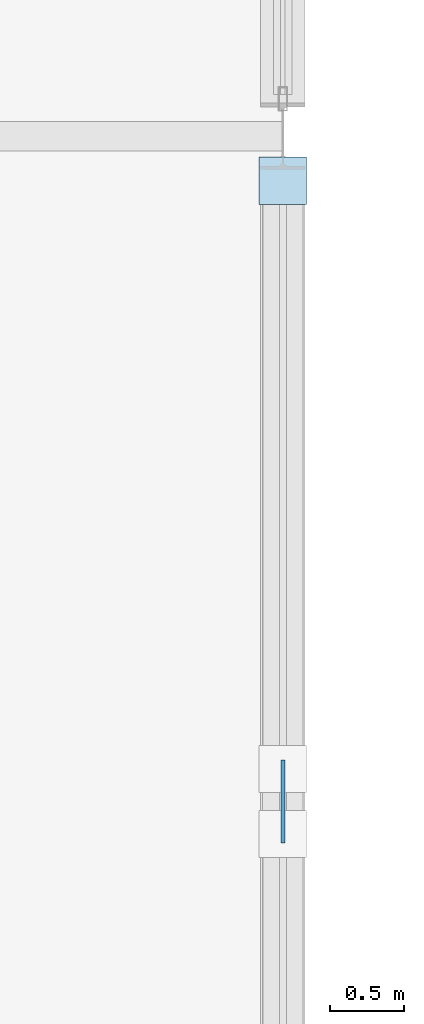
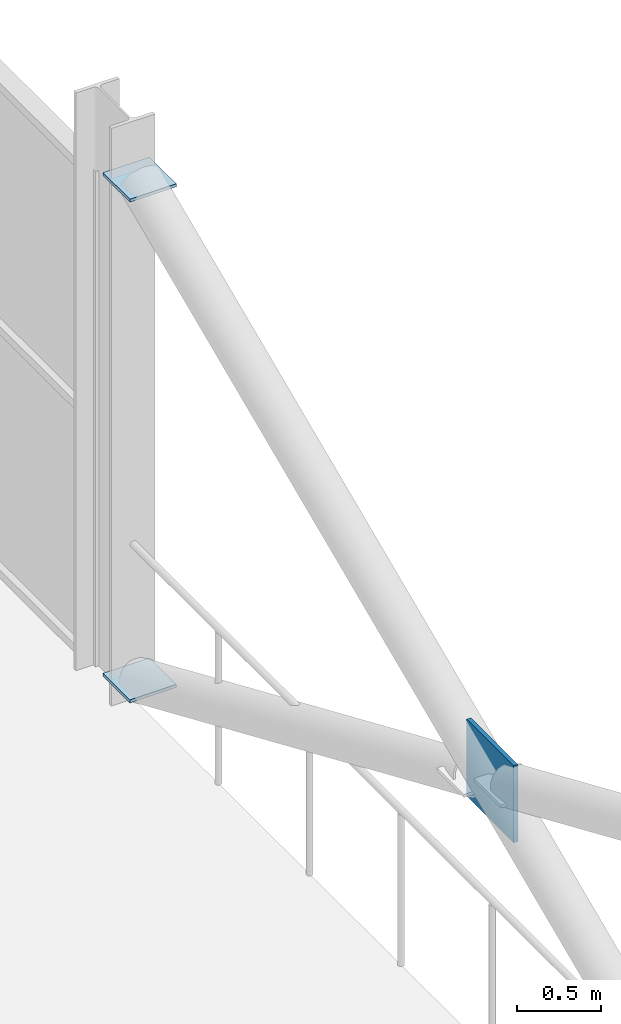
# One storey, part 111 of 135: 3 plates.
"""IFC4 building model written with IfcOpenShell, lengths in metres."""

from ifc_helpers import new_model, si_unit, direction, frame, origin, origin_2d, place, context, subcontext, project, spatial, rectangle, extrude, material, layer, layer_set, type_object, element, save


model = new_model("IFC4")

# Units and contexts
model_context = context("Model", 3, precision=1e-05, world=origin(), true_north=direction((0.0, 1.0)))
body_context = subcontext(model_context, "Body", "Model", "MODEL_VIEW")
ifc_project = project(units=[si_unit("LENGTHUNIT", "METRE"), si_unit("AREAUNIT", "SQUARE_METRE"), si_unit("VOLUMEUNIT", "CUBIC_METRE"), si_unit("PLANEANGLEUNIT", "RADIAN"), si_unit("MASSUNIT", "GRAM", prefix="KILO")], contexts=[model_context])

# Site, building, storey
site_placement = place(None, origin())
site = spatial("IfcSite", under=ifc_project, at=site_placement, CompositionType="ELEMENT")
building_placement = place(site_placement, origin())
building = spatial("IfcBuilding", under=site, at=building_placement, Name="Deido Ridge Mobility Hub", CompositionType="ELEMENT")
storey_placement = place(building_placement, frame((0.0, 0.0, 4.199951171875)))
storey = spatial("IfcBuildingStorey", under=building, at=storey_placement, Name="L01", CompositionType="ELEMENT", Elevation=4.199951171875)

# Plates
ifc_material = material(Name="Steel S355J2 EN 10025-2", Category="steel")
ifc_layer_1 = layer(ifc_material, 0.02197265625, Name="Steel S355J2 EN 10025-2")
ifc_layer_set_1 = layer_set([ifc_layer_1], Name="Steel S355J2 EN 10025-2")
plate_type_1 = type_object("IfcPlateType", Name="PLT-CAP-22", PredefinedType="USERDEFINED", material=ifc_layer_set_1)
for number, where, z_axis, x_axis, name in (
    (1, (180.0, 62.699951171875, 3.80908203125), (0.0, 0.0, 1.0), (1.0, 0.0, 0.0), "Brace sealed end-cap plate EC2 9"),
    (2, (180.0, 62.699951171875, 0.1689453125), (0.0, 0.0, 1.0), (1.0, 0.0, 0.0), "Brace sealed end-cap plate EC2 10"),
):
    element("IfcPlate", number, at=place(storey_placement, frame(where, z_axis=z_axis, x_axis=x_axis)), inside=storey, type_object=plate_type_1, Name=name, ObjectType="END CAP PLATE", PredefinedType="USERDEFINED", context=body_context, shape_type="SweptSolid", body=[
        extrude(rectangle(XDim=0.320068359375, YDim=0.320068359375, at=origin_2d()), origin(), (0.0, 0.0, 1.0), 0.02197265625),
    ])
ifc_layer_2 = layer(ifc_material, 0.028076171875, Name="Steel S355J2 EN 10025-2")
ifc_layer_set_2 = layer_set([ifc_layer_2], Name="Steel S355J2 EN 10025-2")
plate_type_2 = type_object("IfcPlateType", Name="PLT-GUS-28", PredefinedType="USERDEFINED", material=ifc_layer_set_2)
plate_placement = place(storey_placement, frame((180.0, 58.5, 1.719970703125), z_axis=(0.0, 0.0, 1.0), x_axis=(0.0, 1.0, 0.0)))
element("IfcPlate", 3, at=plate_placement, inside=storey, type_object=plate_type_2, Name="X-brace central crossing gusset plate GP3 14", ObjectType="GUSSET PLATE", PredefinedType="USERDEFINED", context=body_context, shape_type="SweptSolid", body=[
    extrude(rectangle(XDim=0.56005859375, YDim=0.028076171875, at=origin_2d()), origin(), (0.0, 0.0, 1.0), 0.56005859375),
])

save(model, "model.ifc")
